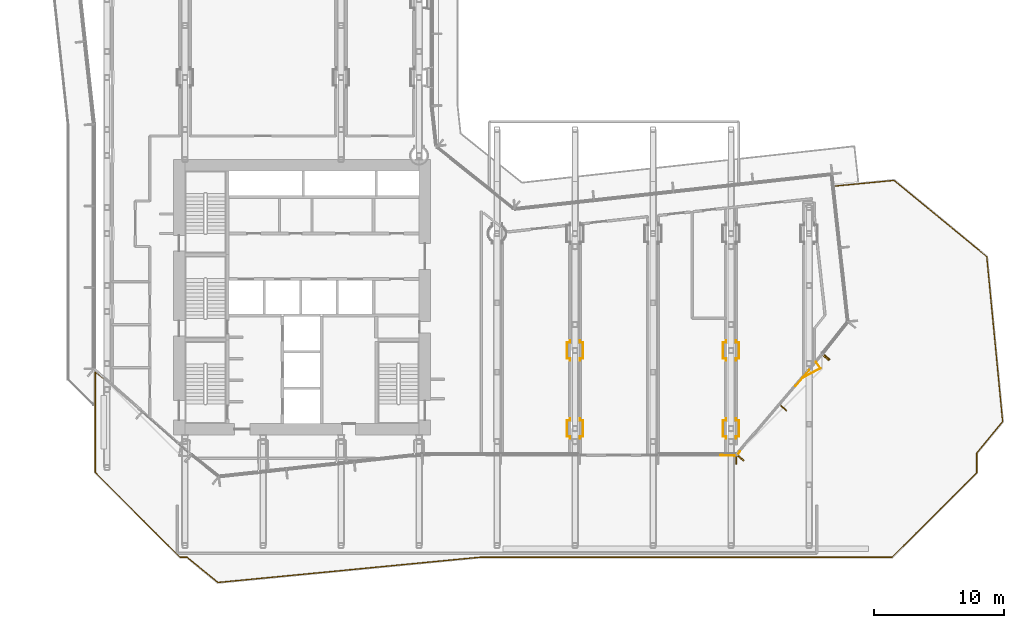
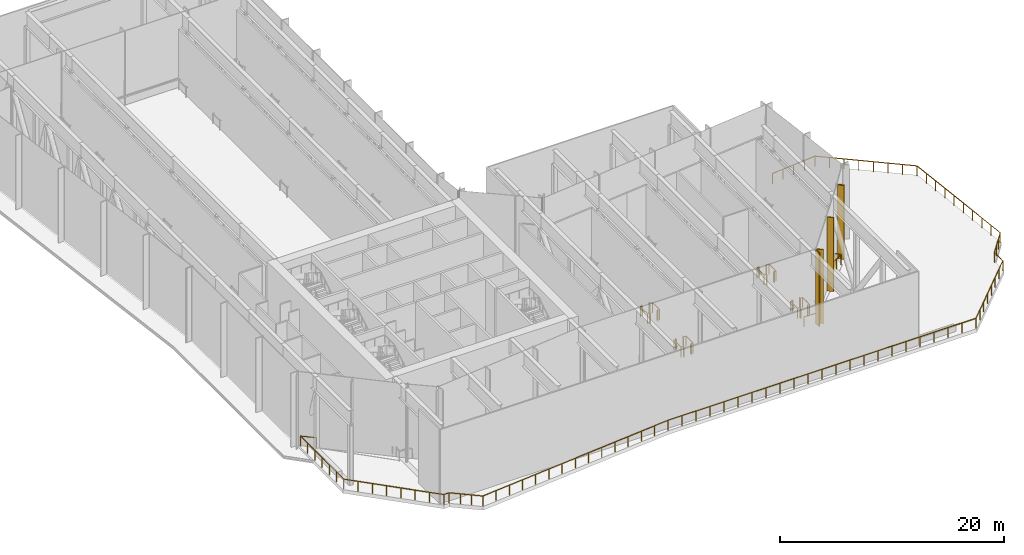
# One storey, part 21 of 25: 12 railings, 5 coverings.
"""IFC4 building model written with IfcOpenShell, lengths in metres."""

from ifc_helpers import new_model, si_unit, direction, frame, origin, origin_2d, place, context, subcontext, project, spatial, rectangle, circle, extrude, material, layer, layer_set, type_object, element, save


model = new_model("IFC4")

# Units and contexts
model_context = context("Model", 3, precision=1e-05, world=origin(), true_north=direction((0.0, 1.0)))
body_context = subcontext(model_context, "Body", "Model", "MODEL_VIEW")
ifc_project = project(units=[si_unit("LENGTHUNIT", "METRE"), si_unit("AREAUNIT", "SQUARE_METRE"), si_unit("VOLUMEUNIT", "CUBIC_METRE"), si_unit("PLANEANGLEUNIT", "RADIAN"), si_unit("MASSUNIT", "GRAM", prefix="KILO")], contexts=[model_context])

# Site, building, storey
site_placement = place(None, origin())
site = spatial("IfcSite", under=ifc_project, at=site_placement, CompositionType="ELEMENT")
building_placement = place(site_placement, origin())
building = spatial("IfcBuilding", under=site, at=building_placement, Name="Welwitschia Terrace Campus", CompositionType="ELEMENT")
storey_placement = place(building_placement, frame((0.0, 0.0, 79.39990234375)))
storey = spatial("IfcBuildingStorey", under=building, at=storey_placement, Name="L18", CompositionType="ELEMENT", Elevation=79.39990234375)

# Coverings
ifc_material_1 = material(Name="Bronze anodised aluminium", Category="aluminium")
ifc_layer = layer(ifc_material_1, 0.10009765625)
ifc_layer_set = layer_set([ifc_layer], Name="Bronze anodised aluminium")
covering_type = type_object("IfcCoveringType", Name="Bronze fin 100x600", PredefinedType="USERDEFINED", material=ifc_layer_set)
for number, where, z_axis, x_axis, name in (
    (1, (48.40478515625, 2.570068359375, 0.0), (0.0, 0.0, 1.0), (1.0, 0.0, 0.0), "Fin L18.8.4"),
    (2, (48.743408203125, 2.726318359375, 0.0), (0.0, 0.0, 1.0), (0.648920216738, 0.760856459727, 0.0), "Fin L18.9.0"),
    (3, (52.031494140625, 6.58154296875, 0.0), (0.0, 0.0, 1.0), (0.648920216738, 0.760856459727, 0.0), "Fin L18.9.1"),
    (4, (55.319580078125, 10.436767578125, 0.0), (0.0, 0.0, 1.0), (0.648920216738, 0.760856459727, 0.0), "Fin L18.9.2"),
    (5, (55.364990234375, 10.49169921875, 0.0), (0.0, 0.0, 1.0), (0.625923472184, 0.779884483093, 0.0), "Fin L18.10.0"),
):
    element("IfcCovering", number, at=place(storey_placement, frame(where, z_axis=z_axis, x_axis=x_axis)), inside=storey, type_object=covering_type, Name=name, ObjectType="FIN", PredefinedType="USERDEFINED", context=body_context, shape_type="SweptSolid", body=[
        extrude(rectangle(XDim=0.10009765625, YDim=0.60009765625, at=origin_2d()), origin(), (0.0, 0.0, 1.0), 8.050048828125),
    ])

# Railings
ifc_material_2 = material(Name="Stainless steel grade 316", Category="steel")
railing_type = type_object("IfcRailingType", Name="Guard 1100", PredefinedType="GUARDRAIL", material=ifc_material_2)
railing_1_placement = place(storey_placement, frame((55.90625, 23.640869140625, 0.0)))
element("IfcRailing", 6, at=railing_1_placement, inside=storey, type_object=railing_type, Name="Guard terrace L18:0:0.0", PredefinedType="GUARDRAIL", context=body_context, shape_type="SweptSolid", body=[
    extrude(circle(Radius=0.02392578125, at=origin_2d()), frame((0.0, 0.0, 1.076171875), z_axis=(0.995378648011, 0.096027845358, 0.0), x_axis=(-0.096027845358, 0.995378648011, 0.0)), (0.0, 0.0, 1.0), 4.66015625),
    extrude(circle(Radius=0.02392578125, at=origin_2d()), frame((4.638671875, 0.447509765625, 1.076171875), z_axis=(0.771614064731, -0.636090980214, 0.0), x_axis=(0.636090980214, 0.771614064731, 0.0)), (0.0, 0.0, 1.0), 9.230712890625),
    extrude(circle(Radius=0.02392578125, at=origin_2d()), frame((11.76123046875, -5.424072265625, 1.076171875), z_axis=(0.095852198035, -0.995395577714, 0.0), x_axis=(0.995395577714, 0.095852198035, 0.0)), (0.0, 0.0, 1.0), 12.745361328125),
    extrude(circle(Radius=0.02392578125, at=origin_2d()), frame((12.98291015625, -18.11083984375, 1.076171875), z_axis=(-0.636090266458, -0.771614653125, 0.0), x_axis=(0.771614653125, -0.636090266458, 0.0)), (0.0, 0.0, 1.0), 3.12744140625),
    extrude(circle(Radius=0.02392578125, at=origin_2d()), frame((10.99365234375, -20.52392578125, 1.076171875), z_axis=(0.0, -1.0, 0.0), x_axis=(1.0, 0.0, 0.0)), (0.0, 0.0, 1.0), 1.48974609375),
    extrude(circle(Radius=0.02392578125, at=origin_2d()), frame((10.99365234375, -22.013671875, 1.076171875), z_axis=(-0.707106781187, -0.707106781187, 0.0), x_axis=(0.707106781187, -0.707106781187, 0.0)), (0.0, 0.0, 1.0), 9.230712890625),
    extrude(circle(Radius=0.02392578125, at=origin_2d()), frame((4.466552734375, -28.540771484375, 1.076171875), z_axis=(-1.0, 0.0, 0.0), x_axis=(0.0, -1.0, 0.0)), (0.0, 0.0, 1.0), 31.702392578125),
    extrude(circle(Radius=0.02392578125, at=origin_2d()), frame((-27.23583984375, -28.540771484375, 1.076171875), z_axis=(-0.995395825455, -0.095849625287, 0.0), x_axis=(0.095849625287, -0.995395825455, 0.0)), (0.0, 0.0, 1.0), 20.239501953125),
    extrude(circle(Radius=0.02392578125, at=origin_2d()), frame((-47.382080078125, -30.480712890625, 1.076171875), z_axis=(-0.771615877476, 0.636088781246, 0.0), x_axis=(-0.636088781246, -0.771615877476, 0.0)), (0.0, 0.0, 1.0), 3.0498046875),
    extrude(circle(Radius=0.02392578125, at=origin_2d()), frame((-49.7353515625, -28.540771484375, 1.076171875), z_axis=(-1.0, 0.0, 0.0), x_axis=(0.0, -1.0, 0.0)), (0.0, 0.0, 1.0), 0.543701171875),
    extrude(circle(Radius=0.02392578125, at=origin_2d()), frame((-50.279052734375, -28.540771484375, 1.076171875), z_axis=(-0.707106781187, 0.707106781187, 0.0), x_axis=(-0.707106781187, -0.707106781187, 0.0)), (0.0, 0.0, 1.0), 9.230712890625),
    extrude(circle(Radius=0.02392578125, at=origin_2d()), frame((-56.80615234375, -22.013671875, 1.076171875), z_axis=(0.0, 1.0, 0.0), x_axis=(-1.0, 0.0, 0.0)), (0.0, 0.0, 1.0), 7.71728515625),
    extrude(circle(Radius=0.02392578125, at=origin_2d()), frame((-56.80615234375, -14.29638671875, 1.076171875), z_axis=(0.778578010034, -0.627547832672, 0.0), x_axis=(0.627547832672, 0.778578010034, 0.0)), (0.0, 0.0, 1.0), 1.469482421875),
    extrude(circle(Radius=0.02099609375, at=origin_2d()), origin(), (0.0, 0.0, 1.0), 1.052001953125),
    extrude(circle(Radius=0.02099609375, at=origin_2d()), frame((1.15966796875, 0.11181640625, 0.0)), (0.0, 0.0, 1.0), 1.052001953125),
    extrude(circle(Radius=0.02099609375, at=origin_2d()), frame((2.3193359375, 0.2236328125, 0.0)), (0.0, 0.0, 1.0), 1.052001953125),
    extrude(circle(Radius=0.02099609375, at=origin_2d()), frame((3.47900390625, 0.335693359375, 0.0)), (0.0, 0.0, 1.0), 1.052001953125),
    extrude(circle(Radius=0.02099609375, at=origin_2d()), frame((4.638671875, 0.447509765625, 0.0)), (0.0, 0.0, 1.0), 1.052001953125),
    extrude(circle(Radius=0.02099609375, at=origin_2d()), frame((5.65625, -0.391357421875, 0.0)), (0.0, 0.0, 1.0), 1.052001953125),
    extrude(circle(Radius=0.02099609375, at=origin_2d()), frame((6.673583984375, -1.22998046875, 0.0)), (0.0, 0.0, 1.0), 1.052001953125),
    extrude(circle(Radius=0.02099609375, at=origin_2d()), frame((7.691162109375, -2.06884765625, 0.0)), (0.0, 0.0, 1.0), 1.052001953125),
    extrude(circle(Radius=0.02099609375, at=origin_2d()), frame((8.708740234375, -2.90771484375, 0.0)), (0.0, 0.0, 1.0), 1.052001953125),
    extrude(circle(Radius=0.02099609375, at=origin_2d()), frame((9.726318359375, -3.74658203125, 0.0)), (0.0, 0.0, 1.0), 1.052001953125),
    extrude(circle(Radius=0.02099609375, at=origin_2d()), frame((10.74365234375, -4.585205078125, 0.0)), (0.0, 0.0, 1.0), 1.052001953125),
    extrude(circle(Radius=0.02099609375, at=origin_2d()), frame((11.76123046875, -5.424072265625, 0.0)), (0.0, 0.0, 1.0), 1.052001953125),
    extrude(circle(Radius=0.02099609375, at=origin_2d()), frame((11.89697265625, -6.833740234375, 0.0)), (0.0, 0.0, 1.0), 1.052001953125),
    extrude(circle(Radius=0.02099609375, at=origin_2d()), frame((12.03271484375, -8.243408203125, 0.0)), (0.0, 0.0, 1.0), 1.052001953125),
    extrude(circle(Radius=0.02099609375, at=origin_2d()), frame((12.16845703125, -9.653076171875, 0.0)), (0.0, 0.0, 1.0), 1.052001953125),
    extrude(circle(Radius=0.02099609375, at=origin_2d()), frame((12.30419921875, -11.062744140625, 0.0)), (0.0, 0.0, 1.0), 1.052001953125),
    extrude(circle(Radius=0.02099609375, at=origin_2d()), frame((12.43994140625, -12.47216796875, 0.0)), (0.0, 0.0, 1.0), 1.052001953125),
    extrude(circle(Radius=0.02099609375, at=origin_2d()), frame((12.57568359375, -13.8818359375, 0.0)), (0.0, 0.0, 1.0), 1.052001953125),
    extrude(circle(Radius=0.02099609375, at=origin_2d()), frame((12.71142578125, -15.29150390625, 0.0)), (0.0, 0.0, 1.0), 1.052001953125),
    extrude(circle(Radius=0.02099609375, at=origin_2d()), frame((12.84716796875, -16.701171875, 0.0)), (0.0, 0.0, 1.0), 1.052001953125),
    extrude(circle(Radius=0.02099609375, at=origin_2d()), frame((12.98291015625, -18.11083984375, 0.0)), (0.0, 0.0, 1.0), 1.052001953125),
    extrude(circle(Radius=0.02099609375, at=origin_2d()), frame((12.31982421875, -18.915283203125, 0.0)), (0.0, 0.0, 1.0), 1.052001953125),
    extrude(circle(Radius=0.02099609375, at=origin_2d()), frame((11.65673828125, -19.719482421875, 0.0)), (0.0, 0.0, 1.0), 1.052001953125),
    extrude(circle(Radius=0.02099609375, at=origin_2d()), frame((10.99365234375, -20.52392578125, 0.0)), (0.0, 0.0, 1.0), 1.052001953125),
    extrude(circle(Radius=0.02099609375, at=origin_2d()), frame((10.99365234375, -22.013671875, 0.0)), (0.0, 0.0, 1.0), 1.052001953125),
    extrude(circle(Radius=0.02099609375, at=origin_2d()), frame((10.061279296875, -22.946044921875, 0.0)), (0.0, 0.0, 1.0), 1.052001953125),
    extrude(circle(Radius=0.02099609375, at=origin_2d()), frame((9.128662109375, -23.878662109375, 0.0)), (0.0, 0.0, 1.0), 1.052001953125),
    extrude(circle(Radius=0.02099609375, at=origin_2d()), frame((8.1962890625, -24.81103515625, 0.0)), (0.0, 0.0, 1.0), 1.052001953125),
    extrude(circle(Radius=0.02099609375, at=origin_2d()), frame((7.263916015625, -25.743408203125, 0.0)), (0.0, 0.0, 1.0), 1.052001953125),
    extrude(circle(Radius=0.02099609375, at=origin_2d()), frame((6.33154296875, -26.67578125, 0.0)), (0.0, 0.0, 1.0), 1.052001953125),
    extrude(circle(Radius=0.02099609375, at=origin_2d()), frame((5.39892578125, -27.6083984375, 0.0)), (0.0, 0.0, 1.0), 1.052001953125),
    extrude(circle(Radius=0.02099609375, at=origin_2d()), frame((4.466552734375, -28.540771484375, 0.0)), (0.0, 0.0, 1.0), 1.052001953125),
    extrude(circle(Radius=0.02099609375, at=origin_2d()), frame((3.025634765625, -28.540771484375, 0.0)), (0.0, 0.0, 1.0), 1.052001953125),
    extrude(circle(Radius=0.02099609375, at=origin_2d()), frame((1.58447265625, -28.540771484375, 0.0)), (0.0, 0.0, 1.0), 1.052001953125),
    extrude(circle(Radius=0.02099609375, at=origin_2d()), frame((0.1435546875, -28.540771484375, 0.0)), (0.0, 0.0, 1.0), 1.052001953125),
    extrude(circle(Radius=0.02099609375, at=origin_2d()), frame((-1.297607421875, -28.540771484375, 0.0)), (0.0, 0.0, 1.0), 1.052001953125),
    extrude(circle(Radius=0.02099609375, at=origin_2d()), frame((-2.738525390625, -28.540771484375, 0.0)), (0.0, 0.0, 1.0), 1.052001953125),
    extrude(circle(Radius=0.02099609375, at=origin_2d()), frame((-4.179443359375, -28.540771484375, 0.0)), (0.0, 0.0, 1.0), 1.052001953125),
    extrude(circle(Radius=0.02099609375, at=origin_2d()), frame((-5.62060546875, -28.540771484375, 0.0)), (0.0, 0.0, 1.0), 1.052001953125),
    extrude(circle(Radius=0.02099609375, at=origin_2d()), frame((-7.0615234375, -28.540771484375, 0.0)), (0.0, 0.0, 1.0), 1.052001953125),
    extrude(circle(Radius=0.02099609375, at=origin_2d()), frame((-8.502685546875, -28.540771484375, 0.0)), (0.0, 0.0, 1.0), 1.052001953125),
    extrude(circle(Radius=0.02099609375, at=origin_2d()), frame((-9.943603515625, -28.540771484375, 0.0)), (0.0, 0.0, 1.0), 1.052001953125),
    extrude(circle(Radius=0.02099609375, at=origin_2d()), frame((-11.384765625, -28.540771484375, 0.0)), (0.0, 0.0, 1.0), 1.052001953125),
    extrude(circle(Radius=0.02099609375, at=origin_2d()), frame((-12.82568359375, -28.540771484375, 0.0)), (0.0, 0.0, 1.0), 1.052001953125),
    extrude(circle(Radius=0.02099609375, at=origin_2d()), frame((-14.2666015625, -28.540771484375, 0.0)), (0.0, 0.0, 1.0), 1.052001953125),
    extrude(circle(Radius=0.02099609375, at=origin_2d()), frame((-15.707763671875, -28.540771484375, 0.0)), (0.0, 0.0, 1.0), 1.052001953125),
    extrude(circle(Radius=0.02099609375, at=origin_2d()), frame((-17.148681640625, -28.540771484375, 0.0)), (0.0, 0.0, 1.0), 1.052001953125),
    extrude(circle(Radius=0.02099609375, at=origin_2d()), frame((-18.58984375, -28.540771484375, 0.0)), (0.0, 0.0, 1.0), 1.052001953125),
    extrude(circle(Radius=0.02099609375, at=origin_2d()), frame((-20.03076171875, -28.540771484375, 0.0)), (0.0, 0.0, 1.0), 1.052001953125),
    extrude(circle(Radius=0.02099609375, at=origin_2d()), frame((-21.4716796875, -28.540771484375, 0.0)), (0.0, 0.0, 1.0), 1.052001953125),
    extrude(circle(Radius=0.02099609375, at=origin_2d()), frame((-22.912841796875, -28.540771484375, 0.0)), (0.0, 0.0, 1.0), 1.052001953125),
    extrude(circle(Radius=0.02099609375, at=origin_2d()), frame((-24.353759765625, -28.540771484375, 0.0)), (0.0, 0.0, 1.0), 1.052001953125),
    extrude(circle(Radius=0.02099609375, at=origin_2d()), frame((-25.794921875, -28.540771484375, 0.0)), (0.0, 0.0, 1.0), 1.052001953125),
    extrude(circle(Radius=0.02099609375, at=origin_2d()), frame((-27.23583984375, -28.540771484375, 0.0)), (0.0, 0.0, 1.0), 1.052001953125),
    extrude(circle(Radius=0.02099609375, at=origin_2d()), frame((-28.6748046875, -28.679443359375, 0.0)), (0.0, 0.0, 1.0), 1.052001953125),
    extrude(circle(Radius=0.02099609375, at=origin_2d()), frame((-30.11376953125, -28.81787109375, 0.0)), (0.0, 0.0, 1.0), 1.052001953125),
    extrude(circle(Radius=0.02099609375, at=origin_2d()), frame((-31.552978515625, -28.95654296875, 0.0)), (0.0, 0.0, 1.0), 1.052001953125),
    extrude(circle(Radius=0.02099609375, at=origin_2d()), frame((-32.991943359375, -29.094970703125, 0.0)), (0.0, 0.0, 1.0), 1.052001953125),
    extrude(circle(Radius=0.02099609375, at=origin_2d()), frame((-34.430908203125, -29.233642578125, 0.0)), (0.0, 0.0, 1.0), 1.052001953125),
    extrude(circle(Radius=0.02099609375, at=origin_2d()), frame((-35.869873046875, -29.3720703125, 0.0)), (0.0, 0.0, 1.0), 1.052001953125),
    extrude(circle(Radius=0.02099609375, at=origin_2d()), frame((-37.30908203125, -29.5107421875, 0.0)), (0.0, 0.0, 1.0), 1.052001953125),
    extrude(circle(Radius=0.02099609375, at=origin_2d()), frame((-38.748046875, -29.6494140625, 0.0)), (0.0, 0.0, 1.0), 1.052001953125),
    extrude(circle(Radius=0.02099609375, at=origin_2d()), frame((-40.18701171875, -29.787841796875, 0.0)), (0.0, 0.0, 1.0), 1.052001953125),
    extrude(circle(Radius=0.02099609375, at=origin_2d()), frame((-41.6259765625, -29.926513671875, 0.0)), (0.0, 0.0, 1.0), 1.052001953125),
    extrude(circle(Radius=0.02099609375, at=origin_2d()), frame((-43.06494140625, -30.06494140625, 0.0)), (0.0, 0.0, 1.0), 1.052001953125),
    extrude(circle(Radius=0.02099609375, at=origin_2d()), frame((-44.504150390625, -30.20361328125, 0.0)), (0.0, 0.0, 1.0), 1.052001953125),
    extrude(circle(Radius=0.02099609375, at=origin_2d()), frame((-45.943115234375, -30.342041015625, 0.0)), (0.0, 0.0, 1.0), 1.052001953125),
    extrude(circle(Radius=0.02099609375, at=origin_2d()), frame((-47.382080078125, -30.480712890625, 0.0)), (0.0, 0.0, 1.0), 1.052001953125),
    extrude(circle(Radius=0.02099609375, at=origin_2d()), frame((-48.16650390625, -29.833984375, 0.0)), (0.0, 0.0, 1.0), 1.052001953125),
    extrude(circle(Radius=0.02099609375, at=origin_2d()), frame((-48.950927734375, -29.1875, 0.0)), (0.0, 0.0, 1.0), 1.052001953125),
    extrude(circle(Radius=0.02099609375, at=origin_2d()), frame((-49.7353515625, -28.540771484375, 0.0)), (0.0, 0.0, 1.0), 1.052001953125),
    extrude(circle(Radius=0.02099609375, at=origin_2d()), frame((-50.279052734375, -28.540771484375, 0.0)), (0.0, 0.0, 1.0), 1.052001953125),
    extrude(circle(Radius=0.02099609375, at=origin_2d()), frame((-51.21142578125, -27.6083984375, 0.0)), (0.0, 0.0, 1.0), 1.052001953125),
    extrude(circle(Radius=0.02099609375, at=origin_2d()), frame((-52.14404296875, -26.67578125, 0.0)), (0.0, 0.0, 1.0), 1.052001953125),
    extrude(circle(Radius=0.02099609375, at=origin_2d()), frame((-53.076416015625, -25.743408203125, 0.0)), (0.0, 0.0, 1.0), 1.052001953125),
    extrude(circle(Radius=0.02099609375, at=origin_2d()), frame((-54.0087890625, -24.81103515625, 0.0)), (0.0, 0.0, 1.0), 1.052001953125),
    extrude(circle(Radius=0.02099609375, at=origin_2d()), frame((-54.941162109375, -23.878662109375, 0.0)), (0.0, 0.0, 1.0), 1.052001953125),
    extrude(circle(Radius=0.02099609375, at=origin_2d()), frame((-55.873779296875, -22.946044921875, 0.0)), (0.0, 0.0, 1.0), 1.052001953125),
    extrude(circle(Radius=0.02099609375, at=origin_2d()), frame((-56.80615234375, -22.013671875, 0.0)), (0.0, 0.0, 1.0), 1.052001953125),
    extrude(circle(Radius=0.02099609375, at=origin_2d()), frame((-56.80615234375, -20.7275390625, 0.0)), (0.0, 0.0, 1.0), 1.052001953125),
    extrude(circle(Radius=0.02099609375, at=origin_2d()), frame((-56.80615234375, -19.441162109375, 0.0)), (0.0, 0.0, 1.0), 1.052001953125),
    extrude(circle(Radius=0.02099609375, at=origin_2d()), frame((-56.80615234375, -18.155029296875, 0.0)), (0.0, 0.0, 1.0), 1.052001953125),
    extrude(circle(Radius=0.02099609375, at=origin_2d()), frame((-56.80615234375, -16.868896484375, 0.0)), (0.0, 0.0, 1.0), 1.052001953125),
    extrude(circle(Radius=0.02099609375, at=origin_2d()), frame((-56.80615234375, -15.58251953125, 0.0)), (0.0, 0.0, 1.0), 1.052001953125),
    extrude(circle(Radius=0.02099609375, at=origin_2d()), frame((-56.80615234375, -14.29638671875, 0.0)), (0.0, 0.0, 1.0), 1.052001953125),
    extrude(circle(Radius=0.02099609375, at=origin_2d()), frame((-55.662109375, -15.218505859375, 0.0)), (0.0, 0.0, 1.0), 1.052001953125),
])
railing_2_placement = place(storey_placement, frame((47.199951171875, 2.949951171875, 0.0)))
element("IfcRailing", 7, at=railing_2_placement, inside=storey, type_object=railing_type, Name="Guard terrace L18:0:0.8", PredefinedType="GUARDRAIL", context=body_context, shape_type="SweptSolid", body=[
    extrude(circle(Radius=0.02392578125, at=origin_2d()), frame((0.0, 0.0, 1.076171875), z_axis=(0.999206535424, -0.039828376388, 0.0), x_axis=(0.039828376388, 0.999206535424, 0.0)), (0.0, 0.0, 1.0), 1.256591796875),
    extrude(circle(Radius=0.02392578125, at=origin_2d()), frame((1.255615234375, -0.050048828125, 1.076171875), z_axis=(0.552154849559, 0.833741579933, 0.0), x_axis=(-0.833741579933, 0.552154849559, 0.0)), (0.0, 0.0, 1.0), 0.39892578125),
    extrude(circle(Radius=0.02099609375, at=origin_2d()), origin(), (0.0, 0.0, 1.0), 1.052001953125),
    extrude(circle(Radius=0.02099609375, at=origin_2d()), frame((1.255615234375, -0.050048828125, 0.0)), (0.0, 0.0, 1.0), 1.052001953125),
    extrude(circle(Radius=0.02099609375, at=origin_2d()), frame((1.475830078125, 0.282470703125, 0.0)), (0.0, 0.0, 1.0), 1.052001953125),
])
railing_3_placement = place(storey_placement, frame((52.9736328125, 8.271484375, 0.0)))
element("IfcRailing", 8, at=railing_3_placement, inside=storey, type_object=railing_type, Name="Guard terrace L18:0:0.9", PredefinedType="GUARDRAIL", context=body_context, shape_type="SweptSolid", body=[
    extrude(circle(Radius=0.02392578125, at=origin_2d()), frame((0.0, 0.0, 1.076171875), z_axis=(0.64886060108, 0.760907300771, 0.0), x_axis=(-0.760907300771, 0.64886060108, 0.0)), (0.0, 0.0, 1.0), 1.594970703125),
    extrude(circle(Radius=0.02099609375, at=origin_2d()), origin(), (0.0, 0.0, 1.0), 1.052001953125),
    extrude(circle(Radius=0.02099609375, at=origin_2d()), frame((0.517578125, 0.60693359375, 0.0)), (0.0, 0.0, 1.0), 1.052001953125),
    extrude(circle(Radius=0.02099609375, at=origin_2d()), frame((1.034912109375, 1.213623046875, 0.0)), (0.0, 0.0, 1.0), 1.052001953125),
])
railing_4_placement = place(storey_placement, frame((54.53759765625, 10.10546875, 0.0)))
element("IfcRailing", 9, at=railing_4_placement, inside=storey, type_object=railing_type, Name="Guard floor edge L18.0", PredefinedType="GUARDRAIL", context=body_context, shape_type="SweptSolid", body=[
    extrude(circle(Radius=0.02392578125, at=origin_2d()), frame((0.0, 0.0, 1.076171875), z_axis=(0.58872085625, -0.808336411042, 0.0), x_axis=(0.808336411042, 0.58872085625, 0.0)), (0.0, 0.0, 1.0), 0.581298828125),
    extrude(circle(Radius=0.02392578125, at=origin_2d()), frame((0.34228515625, -0.469970703125, 1.076171875), z_axis=(-0.880531389109, -0.473987840343, 0.0), x_axis=(0.473987840343, -0.880531389109, 0.0)), (0.0, 0.0, 1.0), 1.56005859375),
    extrude(circle(Radius=0.02099609375, at=origin_2d()), origin(), (0.0, 0.0, 1.0), 1.052001953125),
    extrude(circle(Radius=0.02099609375, at=origin_2d()), frame((0.34228515625, -0.469970703125, 0.0)), (0.0, 0.0, 1.0), 1.052001953125),
    extrude(circle(Radius=0.02099609375, at=origin_2d()), frame((-0.3447265625, -0.83984375, 0.0)), (0.0, 0.0, 1.0), 1.052001953125),
    extrude(circle(Radius=0.02099609375, at=origin_2d()), frame((-1.031494140625, -1.20947265625, 0.0)), (0.0, 0.0, 1.0), 1.052001953125),
])
for number, where, name in (
    (10, (48.3798828125, 4.219970703125, 0.0), "Guard floor edge L18.4"),
    (11, (48.3798828125, 10.219970703125, 0.0), "Guard floor edge L18.5"),
):
    element("IfcRailing", number, at=place(storey_placement, frame(where)), inside=storey, type_object=railing_type, Name=name, PredefinedType="GUARDRAIL", context=body_context, shape_type="SweptSolid", body=[
        extrude(circle(Radius=0.02392578125, at=origin_2d()), frame((0.0, 0.0, 1.076171875), z_axis=(0.0, 1.0, 0.0), x_axis=(-1.0, 0.0, 0.0)), (0.0, 0.0, 1.0), 0.159912109375),
        extrude(circle(Radius=0.02392578125, at=origin_2d()), frame((0.0, 0.159912109375, 1.076171875), z_axis=(1.0, 0.0, 0.0), x_axis=(0.0, 1.0, 0.0)), (0.0, 0.0, 1.0), 0.240234375),
        extrude(circle(Radius=0.02392578125, at=origin_2d()), frame((0.240234375, 0.159912109375, 1.076171875), z_axis=(0.0, 1.0, 0.0), x_axis=(-1.0, 0.0, 0.0)), (0.0, 0.0, 1.0), 1.240234375),
        extrude(circle(Radius=0.02392578125, at=origin_2d()), frame((0.240234375, 1.400146484375, 1.076171875), z_axis=(-1.0, 0.0, 0.0), x_axis=(0.0, -1.0, 0.0)), (0.0, 0.0, 1.0), 0.240234375),
        extrude(circle(Radius=0.02392578125, at=origin_2d()), frame((0.0, 1.400146484375, 1.076171875), z_axis=(0.0, 1.0, 0.0), x_axis=(-1.0, 0.0, 0.0)), (0.0, 0.0, 1.0), 0.159912109375),
        extrude(circle(Radius=0.02099609375, at=origin_2d()), origin(), (0.0, 0.0, 1.0), 1.052001953125),
        extrude(circle(Radius=0.02099609375, at=origin_2d()), frame((0.0, 0.159912109375, 0.0)), (0.0, 0.0, 1.0), 1.052001953125),
        extrude(circle(Radius=0.02099609375, at=origin_2d()), frame((0.240234375, 0.159912109375, 0.0)), (0.0, 0.0, 1.0), 1.052001953125),
        extrude(circle(Radius=0.02099609375, at=origin_2d()), frame((0.240234375, 1.400146484375, 0.0)), (0.0, 0.0, 1.0), 1.052001953125),
        extrude(circle(Radius=0.02099609375, at=origin_2d()), frame((0.0, 1.400146484375, 0.0)), (0.0, 0.0, 1.0), 1.052001953125),
        extrude(circle(Radius=0.02099609375, at=origin_2d()), frame((0.0, 1.56005859375, 0.0)), (0.0, 0.0, 1.0), 1.052001953125),
    ])
for number, where, name in (
    (12, (47.6201171875, 5.780029296875, 0.0), "Guard floor edge L18.7"),
    (13, (47.6201171875, 11.780029296875, 0.0), "Guard floor edge L18.8"),
):
    element("IfcRailing", number, at=place(storey_placement, frame(where)), inside=storey, type_object=railing_type, Name=name, PredefinedType="GUARDRAIL", context=body_context, shape_type="SweptSolid", body=[
        extrude(circle(Radius=0.02392578125, at=origin_2d()), frame((0.0, 0.0, 1.076171875), z_axis=(0.0, -1.0, 0.0), x_axis=(1.0, 0.0, 0.0)), (0.0, 0.0, 1.0), 0.159912109375),
        extrude(circle(Radius=0.02392578125, at=origin_2d()), frame((0.0, -0.159912109375, 1.076171875), z_axis=(-1.0, 0.0, 0.0), x_axis=(0.0, -1.0, 0.0)), (0.0, 0.0, 1.0), 0.240234375),
        extrude(circle(Radius=0.02392578125, at=origin_2d()), frame((-0.240234375, -0.159912109375, 1.076171875), z_axis=(0.0, -1.0, 0.0), x_axis=(1.0, 0.0, 0.0)), (0.0, 0.0, 1.0), 1.240234375),
        extrude(circle(Radius=0.02392578125, at=origin_2d()), frame((-0.240234375, -1.400146484375, 1.076171875), z_axis=(1.0, 0.0, 0.0), x_axis=(0.0, 1.0, 0.0)), (0.0, 0.0, 1.0), 0.240234375),
        extrude(circle(Radius=0.02392578125, at=origin_2d()), frame((0.0, -1.400146484375, 1.076171875), z_axis=(0.0, -1.0, 0.0), x_axis=(1.0, 0.0, 0.0)), (0.0, 0.0, 1.0), 0.159912109375),
        extrude(circle(Radius=0.02099609375, at=origin_2d()), origin(), (0.0, 0.0, 1.0), 1.052001953125),
        extrude(circle(Radius=0.02099609375, at=origin_2d()), frame((0.0, -0.159912109375, 0.0)), (0.0, 0.0, 1.0), 1.052001953125),
        extrude(circle(Radius=0.02099609375, at=origin_2d()), frame((-0.240234375, -0.159912109375, 0.0)), (0.0, 0.0, 1.0), 1.052001953125),
        extrude(circle(Radius=0.02099609375, at=origin_2d()), frame((-0.240234375, -1.400146484375, 0.0)), (0.0, 0.0, 1.0), 1.052001953125),
        extrude(circle(Radius=0.02099609375, at=origin_2d()), frame((0.0, -1.400146484375, 0.0)), (0.0, 0.0, 1.0), 1.052001953125),
        extrude(circle(Radius=0.02099609375, at=origin_2d()), frame((0.0, -1.56005859375, 0.0)), (0.0, 0.0, 1.0), 1.052001953125),
    ])
for number, where, name in (
    (14, (36.3798828125, 4.219970703125, 0.0), "Guard floor edge L18.12"),
    (15, (36.3798828125, 10.219970703125, 0.0), "Guard floor edge L18.13"),
):
    element("IfcRailing", number, at=place(storey_placement, frame(where)), inside=storey, type_object=railing_type, Name=name, PredefinedType="GUARDRAIL", context=body_context, shape_type="SweptSolid", body=[
        extrude(circle(Radius=0.02392578125, at=origin_2d()), frame((0.0, 0.0, 1.076171875), z_axis=(0.0, 1.0, 0.0), x_axis=(-1.0, 0.0, 0.0)), (0.0, 0.0, 1.0), 0.159912109375),
        extrude(circle(Radius=0.02392578125, at=origin_2d()), frame((0.0, 0.159912109375, 1.076171875), z_axis=(1.0, 0.0, 0.0), x_axis=(0.0, 1.0, 0.0)), (0.0, 0.0, 1.0), 0.240234375),
        extrude(circle(Radius=0.02392578125, at=origin_2d()), frame((0.240234375, 0.159912109375, 1.076171875), z_axis=(0.0, 1.0, 0.0), x_axis=(-1.0, 0.0, 0.0)), (0.0, 0.0, 1.0), 1.240234375),
        extrude(circle(Radius=0.02392578125, at=origin_2d()), frame((0.240234375, 1.400146484375, 1.076171875), z_axis=(-1.0, 0.0, 0.0), x_axis=(0.0, -1.0, 0.0)), (0.0, 0.0, 1.0), 0.240234375),
        extrude(circle(Radius=0.02392578125, at=origin_2d()), frame((0.0, 1.400146484375, 1.076171875), z_axis=(0.0, 1.0, 0.0), x_axis=(-1.0, 0.0, 0.0)), (0.0, 0.0, 1.0), 0.159912109375),
        extrude(circle(Radius=0.02099609375, at=origin_2d()), origin(), (0.0, 0.0, 1.0), 1.052001953125),
        extrude(circle(Radius=0.02099609375, at=origin_2d()), frame((0.0, 0.159912109375, 0.0)), (0.0, 0.0, 1.0), 1.052001953125),
        extrude(circle(Radius=0.02099609375, at=origin_2d()), frame((0.240234375, 0.159912109375, 0.0)), (0.0, 0.0, 1.0), 1.052001953125),
        extrude(circle(Radius=0.02099609375, at=origin_2d()), frame((0.240234375, 1.400146484375, 0.0)), (0.0, 0.0, 1.0), 1.052001953125),
        extrude(circle(Radius=0.02099609375, at=origin_2d()), frame((0.0, 1.400146484375, 0.0)), (0.0, 0.0, 1.0), 1.052001953125),
        extrude(circle(Radius=0.02099609375, at=origin_2d()), frame((0.0, 1.56005859375, 0.0)), (0.0, 0.0, 1.0), 1.052001953125),
    ])
for number, where, name in (
    (16, (35.6201171875, 5.780029296875, 0.0), "Guard floor edge L18.15"),
    (17, (35.6201171875, 11.780029296875, 0.0), "Guard floor edge L18.16"),
):
    element("IfcRailing", number, at=place(storey_placement, frame(where)), inside=storey, type_object=railing_type, Name=name, PredefinedType="GUARDRAIL", context=body_context, shape_type="SweptSolid", body=[
        extrude(circle(Radius=0.02392578125, at=origin_2d()), frame((0.0, 0.0, 1.076171875), z_axis=(0.0, -1.0, 0.0), x_axis=(1.0, 0.0, 0.0)), (0.0, 0.0, 1.0), 0.159912109375),
        extrude(circle(Radius=0.02392578125, at=origin_2d()), frame((0.0, -0.159912109375, 1.076171875), z_axis=(-1.0, 0.0, 0.0), x_axis=(0.0, -1.0, 0.0)), (0.0, 0.0, 1.0), 0.240234375),
        extrude(circle(Radius=0.02392578125, at=origin_2d()), frame((-0.240234375, -0.159912109375, 1.076171875), z_axis=(0.0, -1.0, 0.0), x_axis=(1.0, 0.0, 0.0)), (0.0, 0.0, 1.0), 1.240234375),
        extrude(circle(Radius=0.02392578125, at=origin_2d()), frame((-0.240234375, -1.400146484375, 1.076171875), z_axis=(1.0, 0.0, 0.0), x_axis=(0.0, 1.0, 0.0)), (0.0, 0.0, 1.0), 0.240234375),
        extrude(circle(Radius=0.02392578125, at=origin_2d()), frame((0.0, -1.400146484375, 1.076171875), z_axis=(0.0, -1.0, 0.0), x_axis=(1.0, 0.0, 0.0)), (0.0, 0.0, 1.0), 0.159912109375),
        extrude(circle(Radius=0.02099609375, at=origin_2d()), origin(), (0.0, 0.0, 1.0), 1.052001953125),
        extrude(circle(Radius=0.02099609375, at=origin_2d()), frame((0.0, -0.159912109375, 0.0)), (0.0, 0.0, 1.0), 1.052001953125),
        extrude(circle(Radius=0.02099609375, at=origin_2d()), frame((-0.240234375, -0.159912109375, 0.0)), (0.0, 0.0, 1.0), 1.052001953125),
        extrude(circle(Radius=0.02099609375, at=origin_2d()), frame((-0.240234375, -1.400146484375, 0.0)), (0.0, 0.0, 1.0), 1.052001953125),
        extrude(circle(Radius=0.02099609375, at=origin_2d()), frame((0.0, -1.400146484375, 0.0)), (0.0, 0.0, 1.0), 1.052001953125),
        extrude(circle(Radius=0.02099609375, at=origin_2d()), frame((0.0, -1.56005859375, 0.0)), (0.0, 0.0, 1.0), 1.052001953125),
    ])

save(model, "model.ifc")
